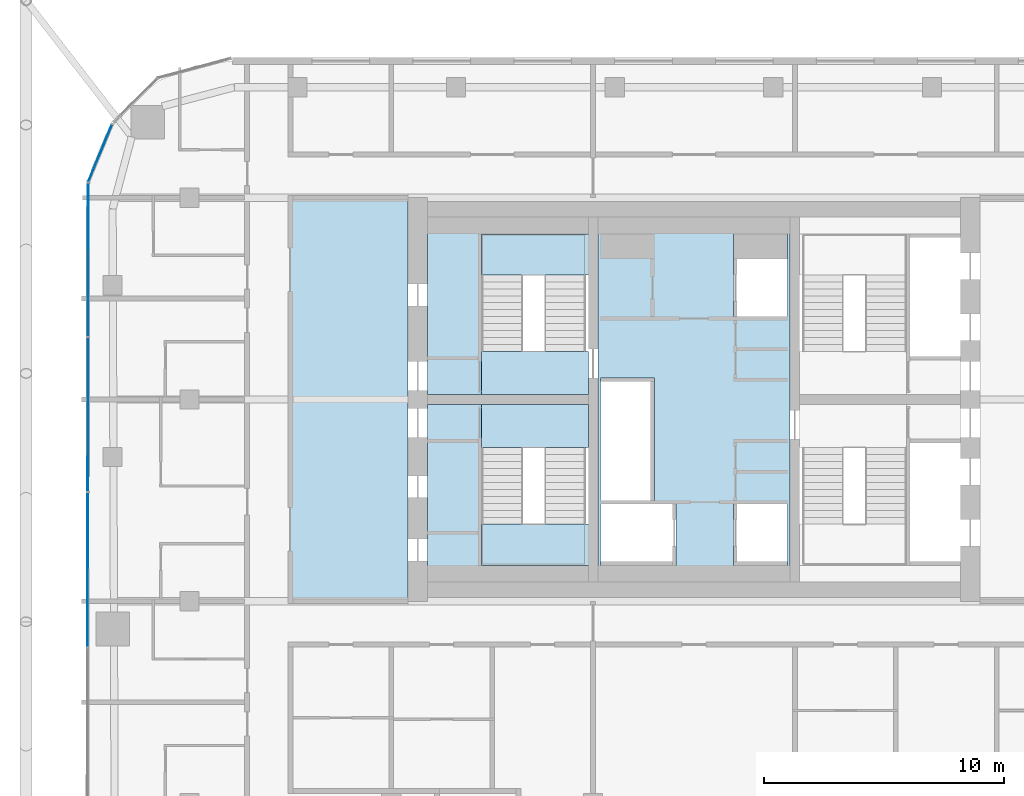
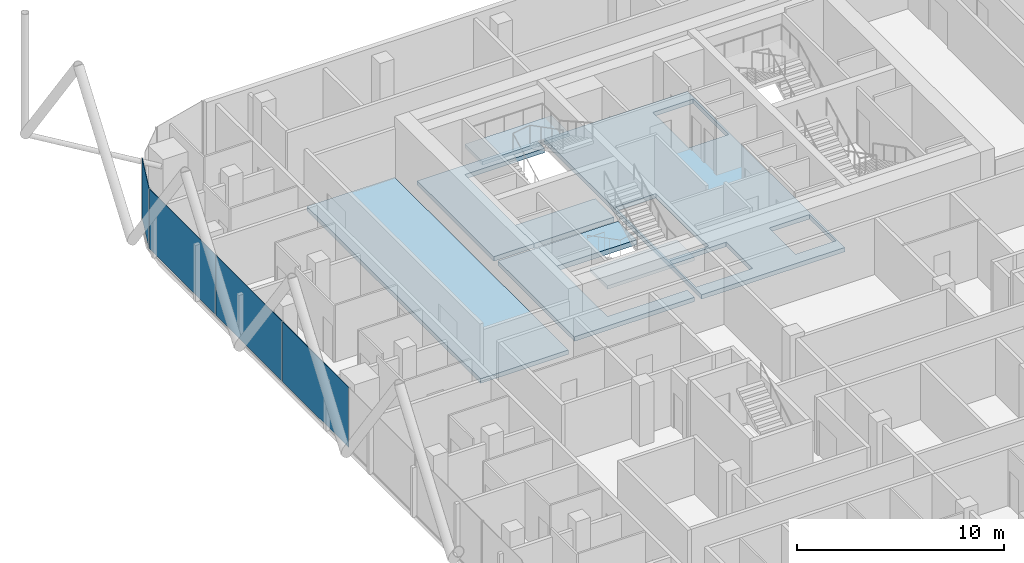
# One storey, part 17 of 28: 8 slabs, 4 plates, 4 elements without a shape of their own.
"""IFC4 building model written with IfcOpenShell, lengths in metres."""

from ifc_helpers import new_model, si_unit, direction, frame, origin, origin_2d, place, context, subcontext, project, spatial, polyline, rectangle, outline, extrude, material, layer, layer_set, type_object, element, aggregate, save


model = new_model("IFC4")

# Units and contexts
model_context = context("Model", 3, precision=1e-05, world=origin(), true_north=direction((0.0, 1.0)))
body_context = subcontext(model_context, "Body", "Model", "MODEL_VIEW")
ifc_project = project(units=[si_unit("LENGTHUNIT", "METRE"), si_unit("AREAUNIT", "SQUARE_METRE"), si_unit("VOLUMEUNIT", "CUBIC_METRE"), si_unit("PLANEANGLEUNIT", "RADIAN"), si_unit("MASSUNIT", "GRAM", prefix="KILO")], contexts=[model_context])

# Site, building, storey
site_placement = place(None, origin())
site = spatial("IfcSite", under=ifc_project, at=site_placement, CompositionType="ELEMENT")
building_placement = place(site_placement, origin())
building = spatial("IfcBuilding", under=site, at=building_placement, Name="Marenta Gate Hotel Tower", CompositionType="ELEMENT")
storey_placement = place(building_placement, frame((0.0, 0.0, 227.300048828125)))
storey = spatial("IfcBuildingStorey", under=building, at=storey_placement, Name="L53", CompositionType="ELEMENT", Elevation=227.300048828125)

# Slabs
ifc_material_1 = material(Name="Concrete C40", Category="concrete")
ifc_layer_1 = layer(ifc_material_1, 0.260009765625)
ifc_layer_set_1 = layer_set([ifc_layer_1], Name="Concrete C40")
slab_type_1 = type_object("IfcSlabType", Name="Core floor slab 260", PredefinedType="FLOOR", material=ifc_layer_set_1)
slab_1_placement = place(storey_placement, frame((0.0, 0.0, -0.260009765625)))
element("IfcSlab", 1, at=slab_1_placement, inside=storey, type_object=slab_type_1, Name="L53-CF-4", PredefinedType="FLOOR", context=body_context, shape_type="SweptSolid", body=[
    extrude(outline(polyline([(4.0, 15.300048828125), (4.0, 10.39990234375), (4.0, 6.39990234375), (4.0, 1.5), (4.0, 0.800048828125), (-4.0, 0.800048828125), (-4.0, 1.5), (-4.0, 6.39990234375), (-4.0, 10.39990234375), (-4.0, 15.300048828125), (-4.0, 16.0), (4.0, 16.0), (4.0, 15.300048828125)]), holes=[polyline([(1.64990234375, 14.25), (1.64990234375, 11.85009765625), (1.800048828125, 11.85009765625), (3.89990234375, 11.85009765625), (3.89990234375, 14.25), (3.89990234375, 15.300048828125), (1.64990234375, 15.300048828125), (1.64990234375, 14.25)]), polyline([(3.89990234375, 1.64990234375), (3.89990234375, 4.050048828125), (1.800048828125, 4.050048828125), (1.64990234375, 4.050048828125), (1.64990234375, 1.64990234375), (1.64990234375, 1.5), (3.89990234375, 1.5), (3.89990234375, 1.64990234375)]), polyline([(-3.89990234375, 1.64990234375), (-3.89990234375, 1.5), (-0.89990234375, 1.5), (-0.75, 1.5), (-0.75, 4.050048828125), (-0.89990234375, 4.050048828125), (-3.89990234375, 4.050048828125), (-3.89990234375, 1.64990234375)]), polyline([(-1.800048828125, 4.199951171875), (-1.64990234375, 4.199951171875), (-1.64990234375, 9.14990234375), (-1.64990234375, 9.300048828125), (-3.89990234375, 9.300048828125), (-3.89990234375, 9.14990234375), (-3.89990234375, 6.75), (-3.89990234375, 6.60009765625), (-3.89990234375, 4.199951171875), (-1.800048828125, 4.199951171875)])]), origin(), (0.0, 0.0, 1.0), 0.260009765625),
])
slab_2_placement = place(storey_placement, frame((0.0, 0.0, -0.260009765625)))
element("IfcSlab", 2, at=slab_2_placement, inside=storey, type_object=slab_type_1, Name="L53-CF-5", PredefinedType="FLOOR", context=body_context, shape_type="SweptSolid", body=[
    extrude(outline(polyline([(-8.85009765625, 8.199951171875), (-8.85009765625, 8.10009765625), (-8.85009765625, 6.39990234375), (-8.85009765625, 1.5), (-4.39990234375, 1.5), (-4.39990234375, 0.800048828125), (-11.10009765625, 0.800048828125), (-11.10009765625, 8.199951171875), (-8.85009765625, 8.199951171875)])), origin(), (0.0, 0.0, 1.0), 0.260009765625),
])
slab_3_placement = place(storey_placement, frame((0.0, 0.0, -0.260009765625)))
element("IfcSlab", 3, at=slab_3_placement, inside=storey, type_object=slab_type_1, Name="L53-CF-6", PredefinedType="FLOOR", context=body_context, shape_type="SweptSolid", body=[
    extrude(outline(polyline([(-4.39990234375, 15.300048828125), (-8.85009765625, 15.300048828125), (-8.85009765625, 10.39990234375), (-8.85009765625, 8.699951171875), (-8.85009765625, 8.60009765625), (-11.10009765625, 8.60009765625), (-11.10009765625, 16.0), (-4.39990234375, 16.0), (-4.39990234375, 15.300048828125)])), origin(), (0.0, 0.0, 1.0), 0.260009765625),
])
slab_4_placement = place(storey_placement, frame((0.0, 0.0, -0.260009765625)))
element("IfcSlab", 4, at=slab_4_placement, inside=storey, type_object=slab_type_1, Name="L53-CF-7", PredefinedType="FLOOR", context=body_context, shape_type="SweptSolid", body=[
    extrude(outline(polyline([(-11.89990234375, 16.800048828125), (-11.89990234375, 0.0), (-16.800048828125, 0.0), (-16.800048828125, 16.800048828125), (-11.89990234375, 16.800048828125)])), origin(), (0.0, 0.0, 1.0), 0.260009765625),
])

# Stair, slab
ifc_material_2 = material(Name="Concrete C40", Category="concrete")
stair_type = type_object("IfcStairType", Name="Core exit stair 1700 wide", PredefinedType="HALF_TURN_STAIR", material=ifc_material_2)
stair_1_placement = place(storey_placement, origin())
stair_1 = element("IfcStair", 5, at=stair_1_placement, inside=storey, type_object=stair_type, Name="Exit stair 1", PredefinedType="HALF_TURN_STAIR")
ifc_material_3 = material(Name="Concrete C40", Category="concrete")
ifc_layer_2 = layer(ifc_material_3, 0.199951171875)
ifc_layer_set_2 = layer_set([ifc_layer_2], Name="Concrete C40")
slab_type_2 = type_object("IfcSlabType", Name="Core stair landing 200", PredefinedType="LANDING", material=ifc_layer_set_2)
slab_5_placement = place(storey_placement, frame((0.0, 0.0, 1.599853515625)))
slab_5 = element("IfcSlab", 6, at=slab_5_placement, type_object=slab_type_2, Name="SL-200 ST1 landing 1", PredefinedType="LANDING", context=body_context, shape_type="SweptSolid", body=[
    extrude(outline(polyline([(-8.85009765625, 1.5), (-4.0, 1.5), (-4.0, 3.2099609375), (-8.85009765625, 3.2099609375), (-8.85009765625, 1.5)])), origin(), (0.0, 0.0, 1.0), 0.2001953125),
])
aggregate(stair_1, [slab_5])

stair_2_placement = place(storey_placement, origin())
stair_2 = element("IfcStair", 7, at=stair_2_placement, inside=storey, type_object=stair_type, Name="Exit stair 2", PredefinedType="HALF_TURN_STAIR")
slab_6_placement = place(storey_placement, frame((0.0, 0.0, 1.599853515625)))
slab_6 = element("IfcSlab", 8, at=slab_6_placement, type_object=slab_type_2, Name="SL-200 ST2 landing 1", PredefinedType="LANDING", context=body_context, shape_type="SweptSolid", body=[
    extrude(outline(polyline([(-8.85009765625, 13.590087890625), (-4.0, 13.590087890625), (-4.0, 15.300048828125), (-8.85009765625, 15.300048828125), (-8.85009765625, 13.590087890625)])), origin(), (0.0, 0.0, 1.0), 0.2001953125),
])
aggregate(stair_2, [slab_6])

# Curtain wall, plate
ifc_material_4 = material(Name="Tinted insulated glass in bronze anodised frame", Category="glass")
ifc_layer_3 = layer(ifc_material_4, 0.1201171875)
ifc_layer_set_3 = layer_set([ifc_layer_3], Name="Tinted insulated glass in bronze anodised frame")
curtain_wall_type = type_object("IfcCurtainWallType", Name="Tower unitised curtain wall CW1", PredefinedType="NOTDEFINED", material=ifc_layer_set_3)
curtain_wall_1_placement = place(storey_placement, origin())
curtain_wall_1 = element("IfcCurtainWall", 9, at=curtain_wall_1_placement, inside=storey, type_object=curtain_wall_type, Name="CW1 run G03", PredefinedType="NOTDEFINED")
ifc_material_5 = material(Name="Tinted insulated glass", Category="glass")
ifc_layer_4 = layer(ifc_material_5, 0.028076171875)
ifc_layer_set_4 = layer_set([ifc_layer_4], Name="Tinted insulated glass")
plate_type = type_object("IfcPlateType", Name="Glass panel CW1 28 mm tinted insulated unit", PredefinedType="CURTAIN_PANEL", material=ifc_layer_set_4)
plate_1_placement = place(storey_placement, frame((-24.719482421875, 18.656005859375, 0.059814453125), z_axis=(0.0, 0.0, 1.0), x_axis=(-0.382666772044, -0.923886433266, 0.0)))
plate_1 = element("IfcPlate", 10, at=plate_1_placement, type_object=plate_type, Name="CW1 panel 1.1", PredefinedType="CURTAIN_PANEL", context=body_context, shape_type="SweptSolid", body=[
    extrude(rectangle(XDim=2.57568359375, YDim=0.028076171875, at=origin_2d()), origin(), (0.0, 0.0, 1.0), 3.5400390625),
])
aggregate(curtain_wall_1, [plate_1])

# Curtain wall, plates
curtain_wall_2_placement = place(storey_placement, origin())
curtain_wall_2 = element("IfcCurtainWall", 11, at=curtain_wall_2_placement, inside=storey, type_object=curtain_wall_type, Name="CW1 run G04", PredefinedType="NOTDEFINED")
plate_2_placement = place(storey_placement, frame((-25.21728515625, 14.22119140625, 0.059814453125), z_axis=(0.0, 0.0, 1.0), x_axis=(-0.001566045546, -0.99999877375, 0.0)))
plate_2 = element("IfcPlate", 12, at=plate_2_placement, type_object=plate_type, Name="CW1 panel 1.1", PredefinedType="CURTAIN_PANEL", context=body_context, shape_type="SweptSolid", body=[
    extrude(rectangle(XDim=6.3701171875, YDim=0.028076171875, at=origin_2d()), origin(), (0.0, 0.0, 1.0), 3.5400390625),
])
plate_3_placement = place(storey_placement, frame((-25.2275390625, 7.776123046875, 0.059814453125), z_axis=(0.0, 0.0, 1.0), x_axis=(-0.001566045546, -0.99999877375, 0.0)))
plate_3 = element("IfcPlate", 13, at=plate_3_placement, type_object=plate_type, Name="CW1 panel 2.1", PredefinedType="CURTAIN_PANEL", context=body_context, shape_type="SweptSolid", body=[
    extrude(rectangle(XDim=6.39990234375, YDim=0.028076171875, at=origin_2d()), origin(), (0.0, 0.0, 1.0), 3.5400390625),
])
plate_4_placement = place(storey_placement, frame((-25.237548828125, 1.316162109375, 0.059814453125), z_axis=(0.0, 0.0, 1.0), x_axis=(-0.001566045546, -0.99999877375, 0.0)))
plate_4 = element("IfcPlate", 14, at=plate_4_placement, type_object=plate_type, Name="CW1 panel 3.1", PredefinedType="CURTAIN_PANEL", context=body_context, shape_type="SweptSolid", body=[
    extrude(rectangle(XDim=6.39990234375, YDim=0.028076171875, at=origin_2d()), origin(), (0.0, 0.0, 1.0), 3.5400390625),
])
aggregate(curtain_wall_2, [plate_2, plate_3, plate_4])

# Slabs
ifc_material_6 = material(Name="Concrete C40", Category="concrete")
ifc_layer_5 = layer(ifc_material_6, 0.300048828125)
ifc_layer_set_5 = layer_set([ifc_layer_5], Name="Concrete C40")
slab_type_3 = type_object("IfcSlabType", Name="Stair floor landing slab 300", PredefinedType="FLOOR", material=ifc_layer_set_5)
slab_7_placement = place(storey_placement, frame((0.0, 0.0, -0.300048828125)))
element("IfcSlab", 15, at=slab_7_placement, inside=storey, type_object=slab_type_3, Name="L53-CL-ST1-1", PredefinedType="FLOOR", context=body_context, shape_type="SweptSolid", body=[
    extrude(outline(polyline([(-4.39990234375, 6.39990234375), (-8.85009765625, 6.39990234375), (-8.85009765625, 8.10009765625), (-8.85009765625, 8.199951171875), (-4.39990234375, 8.199951171875), (-4.39990234375, 6.39990234375)])), origin(), (0.0, 0.0, 1.0), 0.300048828125),
])
slab_8_placement = place(storey_placement, frame((0.0, 0.0, -0.300048828125)))
element("IfcSlab", 16, at=slab_8_placement, inside=storey, type_object=slab_type_3, Name="L53-CL-ST2-1", PredefinedType="FLOOR", context=body_context, shape_type="SweptSolid", body=[
    extrude(outline(polyline([(-4.39990234375, 8.60009765625), (-8.85009765625, 8.60009765625), (-8.85009765625, 8.699951171875), (-8.85009765625, 10.39990234375), (-4.39990234375, 10.39990234375), (-4.39990234375, 8.60009765625)])), origin(), (0.0, 0.0, 1.0), 0.300048828125),
])

save(model, "model.ifc")
